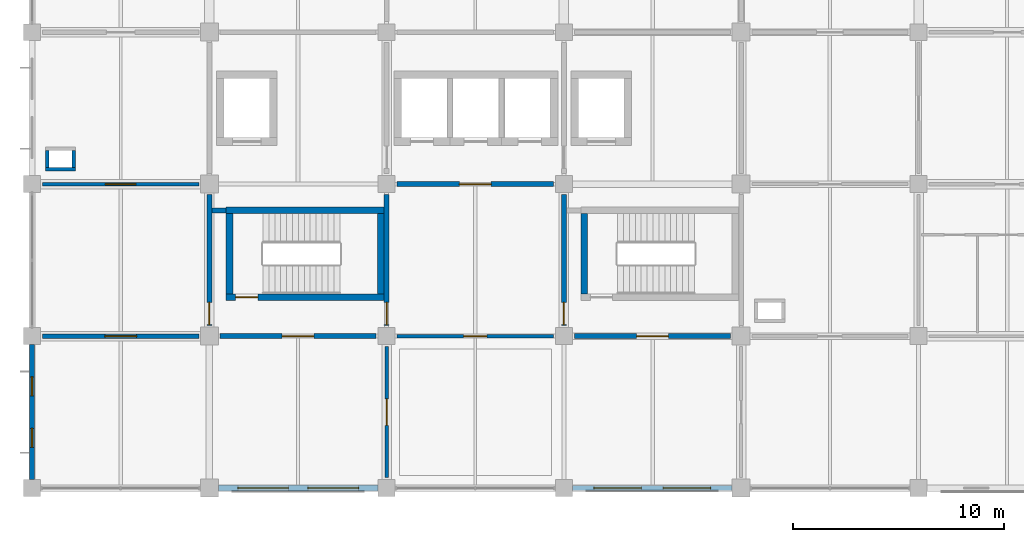
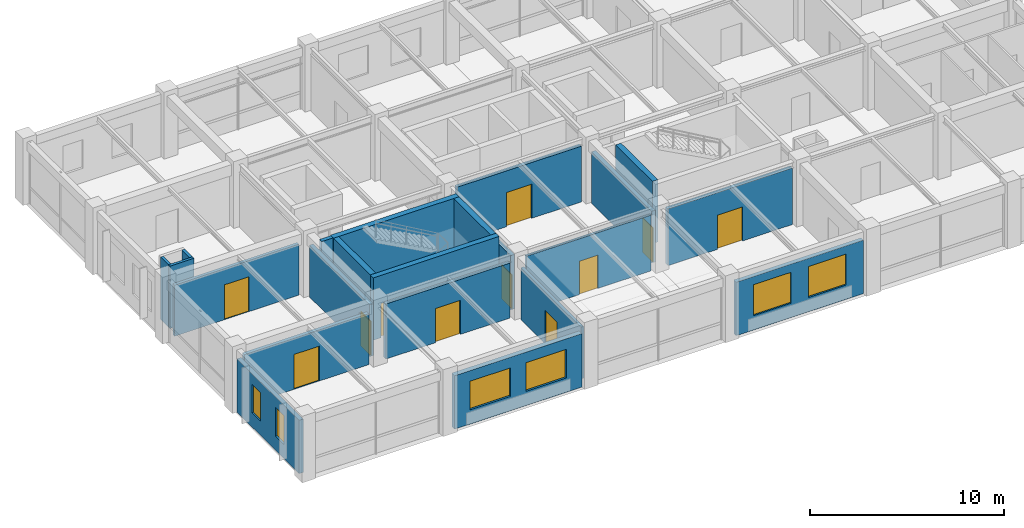
# One storey, part 8 of 13: 22 walls, 11 doors, 6 windows, 17 openings.
"""IFC4 building model written with IfcOpenShell, lengths in metres."""

from ifc_helpers import new_model, si_unit, derived_unit, direction, frame, frame_2d, origin, place, context, subcontext, project, spatial, rectangle, extrude, material, layer, layer_set, type_object, element, fill, save


model = new_model("IFC4")

# Units and contexts
model_context = context("Model", 3, precision=1e-05, world=origin(), true_north=direction((0.0, 1.0)))
body_context = subcontext(model_context, "Body", "Model", "MODEL_VIEW")
ifc_project = project(units=[si_unit("LENGTHUNIT", "METRE"), si_unit("AREAUNIT", "SQUARE_METRE"), si_unit("VOLUMEUNIT", "CUBIC_METRE"), si_unit("PLANEANGLEUNIT", "RADIAN"), si_unit("MASSUNIT", "GRAM", prefix="KILO"), derived_unit("THERMALTRANSMITTANCEUNIT", [(si_unit("MASSUNIT", "GRAM", prefix="KILO"), 1), (si_unit("TIMEUNIT", "SECOND"), -3), (si_unit("THERMODYNAMICTEMPERATUREUNIT", "KELVIN"), -1)])], contexts=[model_context])

# Site, building, storey
site_placement = place(None, origin())
site = spatial("IfcSite", under=ifc_project, at=site_placement, CompositionType="ELEMENT")
building_placement = place(site_placement, origin())
building = spatial("IfcBuilding", under=site, at=building_placement, Name="Veldstrom Oceanarium and Marine Research Institute", CompositionType="ELEMENT")
storey_placement = place(building_placement, frame((0.0, 0.0, 27.0)))
storey = spatial("IfcBuildingStorey", under=building, at=storey_placement, Name="L05", CompositionType="ELEMENT", Elevation=27.0)

# Wall, openings, windows
ifc_material_1 = material(Name="Masonry Cavity Wall", Category="masonry")
ifc_layer_1 = layer(ifc_material_1, 0.2900390625)
ifc_layer_set_1 = layer_set([ifc_layer_1], Name="ARC-WAL-EW2")
wall_type_1 = type_object("IfcWallType", Name="ARC-WAL-EW2", PredefinedType="SOLIDWALL", material=ifc_layer_set_1)
wall_1_placement = place(storey_placement, frame((76.02490234375, 43.199951171875, 0.0), z_axis=(0.0, 0.0, 1.0), x_axis=(1.0, 0.0, 0.0)))
wall_1 = element("IfcWall", 1, at=wall_1_placement, inside=storey, type_object=wall_type_1, Name="Exterior Facade Wall EW2 L05-179", PredefinedType="SOLIDWALL", context=body_context, shape_type="SweptSolid", body=[
    extrude(rectangle(XDim=7.5751953125, YDim=0.2900390625, at=frame_2d((3.78759765625, 0.0))), origin(), (0.0, 0.0, 1.0), 3.364990234375),
])
opening_1_placement = place(wall_1_placement, frame((0.925048828125, 0.0, 0.89990234375)))
opening_1 = element("IfcOpeningElement", 2, at=opening_1_placement, cuts=wall_1, Name="Opening W01", PredefinedType="OPENING", context=body_context, shape_type="SweptSolid", body=[
    extrude(rectangle(XDim=2.39990234375, YDim=1.800048828125, at=frame_2d((1.199951171875, 0.89990234375))), frame((0.0, 0.155029296875, 0.0), z_axis=(0.0, -1.0, 0.0), x_axis=(1.0, 0.0, 0.0)), (0.0, 0.0, 1.0), 0.31005859375),
])
opening_2_placement = place(wall_1_placement, frame((4.25, 0.0, 0.89990234375)))
opening_2 = element("IfcOpeningElement", 3, at=opening_2_placement, cuts=wall_1, Name="Opening W01", PredefinedType="OPENING", context=body_context, shape_type="SweptSolid", body=[
    extrude(rectangle(XDim=2.39990234375, YDim=1.800048828125, at=frame_2d((1.199951171875, 0.89990234375))), frame((0.0, 0.155029296875, 0.0), z_axis=(0.0, -1.0, 0.0), x_axis=(1.0, 0.0, 0.0)), (0.0, 0.0, 1.0), 0.31005859375),
])
ifc_material_2 = material(Name="Double Glazed Low-E IGU", Category="glass")
window_type_1 = type_object("IfcWindowType", Name="ARC-WIN-W01", PartitioningType="SINGLE_PANEL", PredefinedType="WINDOW", material=ifc_material_2)
window_1_placement = place(opening_1_placement, origin())
window_1 = element("IfcWindow", 4, at=window_1_placement, inside=storey, type_object=window_type_1, Name="Facade Window W01 L05-0135", OverallHeight=1.800048828125, OverallWidth=2.39990234375, PartitioningType="SINGLE_PANEL", PredefinedType="WINDOW", context=body_context, shape_type="SweptSolid", body=[
    extrude(rectangle(XDim=2.39990234375, YDim=1.800048828125, at=frame_2d((1.199951171875, 0.89990234375))), frame((0.0, 0.030029296875, 0.0), z_axis=(0.0, -1.0, 0.0), x_axis=(1.0, 0.0, 0.0)), (0.0, 0.0, 1.0), 0.06005859375),
])
fill(opening_1, window_1)
window_2_placement = place(opening_2_placement, origin())
window_2 = element("IfcWindow", 5, at=window_2_placement, inside=storey, type_object=window_type_1, Name="Facade Window W01 L05-0136", OverallHeight=1.800048828125, OverallWidth=2.39990234375, PartitioningType="SINGLE_PANEL", PredefinedType="WINDOW", context=body_context, shape_type="SweptSolid", body=[
    extrude(rectangle(XDim=2.39990234375, YDim=1.800048828125, at=frame_2d((1.199951171875, 0.89990234375))), frame((0.0, 0.030029296875, 0.0), z_axis=(0.0, -1.0, 0.0), x_axis=(1.0, 0.0, 0.0)), (0.0, 0.0, 1.0), 0.06005859375),
])
fill(opening_2, window_2)

ifc_material_3 = material(Name="Masonry Cavity Wall", Category="masonry")
ifc_layer_2 = layer(ifc_material_3, 0.25)
ifc_layer_set_2 = layer_set([ifc_layer_2], Name="ARC-WAL-EW5")
wall_type_2 = type_object("IfcWallType", Name="ARC-WAL-EW5", PredefinedType="SOLIDWALL", material=ifc_layer_set_2)
wall_2_placement = place(storey_placement, frame((67.199951171875, 43.60009765625, 0.0), z_axis=(0.0, 0.0, 1.0), x_axis=(0.0, 1.0, 0.0)))
wall_2 = element("IfcWall", 6, at=wall_2_placement, inside=storey, type_object=wall_type_2, Name="Exterior Facade Wall EW5 L05-176", PredefinedType="SOLIDWALL", context=body_context, shape_type="SweptSolid", body=[
    extrude(rectangle(XDim=6.39990234375, YDim=0.25, at=frame_2d((3.199951171875, 0.0))), origin(), (0.0, 0.0, 1.0), 3.364990234375),
])
opening_3_placement = place(wall_2_placement, frame((1.533203125, 0.0, 0.89990234375)))
opening_3 = element("IfcOpeningElement", 7, at=opening_3_placement, cuts=wall_2, Name="Opening W06", PredefinedType="OPENING", context=body_context, shape_type="SweptSolid", body=[
    extrude(rectangle(XDim=0.89990234375, YDim=1.800048828125, at=frame_2d((0.449951171875, 0.89990234375))), frame((0.0, 0.135009765625, 0.0), z_axis=(0.0, -1.0, 0.0), x_axis=(1.0, 0.0, 0.0)), (0.0, 0.0, 1.0), 0.27001953125),
])
opening_4_placement = place(wall_2_placement, frame((3.966796875, 0.0, 0.89990234375)))
opening_4 = element("IfcOpeningElement", 8, at=opening_4_placement, cuts=wall_2, Name="Opening W06", PredefinedType="OPENING", context=body_context, shape_type="SweptSolid", body=[
    extrude(rectangle(XDim=0.89990234375, YDim=1.800048828125, at=frame_2d((0.449951171875, 0.89990234375))), frame((0.0, 0.135009765625, 0.0), z_axis=(0.0, -1.0, 0.0), x_axis=(1.0, 0.0, 0.0)), (0.0, 0.0, 1.0), 0.27001953125),
])
ifc_material_4 = material(Name="Double Glazed Low-E IGU", Category="glass")
window_type_2 = type_object("IfcWindowType", Name="ARC-WIN-W06", PartitioningType="SINGLE_PANEL", PredefinedType="WINDOW", material=ifc_material_4)
window_3_placement = place(opening_3_placement, origin())
window_3 = element("IfcWindow", 9, at=window_3_placement, inside=storey, type_object=window_type_2, Name="Facade Window W06 L05-0129", OverallHeight=1.800048828125, OverallWidth=0.89990234375, PartitioningType="SINGLE_PANEL", PredefinedType="WINDOW", context=body_context, shape_type="SweptSolid", body=[
    extrude(rectangle(XDim=0.89990234375, YDim=1.800048828125, at=frame_2d((0.449951171875, 0.89990234375))), frame((0.0, 0.030029296875, 0.0), z_axis=(0.0, -1.0, 0.0), x_axis=(1.0, 0.0, 0.0)), (0.0, 0.0, 1.0), 0.06005859375),
])
fill(opening_3, window_3)
window_4_placement = place(opening_4_placement, origin())
window_4 = element("IfcWindow", 10, at=window_4_placement, inside=storey, type_object=window_type_2, Name="Facade Window W06 L05-0130", OverallHeight=1.800048828125, OverallWidth=0.89990234375, PartitioningType="SINGLE_PANEL", PredefinedType="WINDOW", context=body_context, shape_type="SweptSolid", body=[
    extrude(rectangle(XDim=0.89990234375, YDim=1.800048828125, at=frame_2d((0.449951171875, 0.89990234375))), frame((0.0, 0.030029296875, 0.0), z_axis=(0.0, -1.0, 0.0), x_axis=(1.0, 0.0, 0.0)), (0.0, 0.0, 1.0), 0.06005859375),
])
fill(opening_4, window_4)

wall_3_placement = place(storey_placement, frame((92.800048828125, 43.199951171875, 0.0), z_axis=(0.0, 0.0, 1.0), x_axis=(1.0, 0.0, 0.0)))
wall_3 = element("IfcWall", 11, at=wall_3_placement, inside=storey, type_object=wall_type_2, Name="Exterior Facade Wall EW5 L05-181", PredefinedType="SOLIDWALL", context=body_context, shape_type="SweptSolid", body=[
    extrude(rectangle(XDim=7.574951171875, YDim=0.25, at=frame_2d((3.78759765625, 0.0))), origin(), (0.0, 0.0, 1.0), 3.364990234375),
])
opening_5_placement = place(wall_3_placement, frame((1.02490234375, 0.0, 0.89990234375)))
opening_5 = element("IfcOpeningElement", 12, at=opening_5_placement, cuts=wall_3, Name="Opening W21", PredefinedType="OPENING", context=body_context, shape_type="SweptSolid", body=[
    extrude(rectangle(XDim=2.25, YDim=1.949951171875, at=frame_2d((1.125, 0.97509765625))), frame((0.0, 0.135009765625, 0.0), z_axis=(0.0, -1.0, 0.0), x_axis=(1.0, 0.0, 0.0)), (0.0, 0.0, 1.0), 0.27001953125),
])
opening_6_placement = place(wall_3_placement, frame((4.300048828125, 0.0, 0.89990234375)))
opening_6 = element("IfcOpeningElement", 13, at=opening_6_placement, cuts=wall_3, Name="Opening W21", PredefinedType="OPENING", context=body_context, shape_type="SweptSolid", body=[
    extrude(rectangle(XDim=2.25, YDim=1.949951171875, at=frame_2d((1.125, 0.97509765625))), frame((0.0, 0.135009765625, 0.0), z_axis=(0.0, -1.0, 0.0), x_axis=(1.0, 0.0, 0.0)), (0.0, 0.0, 1.0), 0.27001953125),
])
ifc_material_5 = material(Name="Double Glazed Low-E IGU", Category="glass")
window_type_3 = type_object("IfcWindowType", Name="ARC-WIN-W21", PartitioningType="SINGLE_PANEL", PredefinedType="WINDOW", material=ifc_material_5)
window_5_placement = place(opening_5_placement, origin())
window_5 = element("IfcWindow", 14, at=window_5_placement, inside=storey, type_object=window_type_3, Name="Facade Window W21 L05-0139", OverallHeight=1.949951171875, OverallWidth=2.25, PartitioningType="SINGLE_PANEL", PredefinedType="WINDOW", context=body_context, shape_type="SweptSolid", body=[
    extrude(rectangle(XDim=2.25, YDim=1.949951171875, at=frame_2d((1.125, 0.97509765625))), frame((0.0, 0.030029296875, 0.0), z_axis=(0.0, -1.0, 0.0), x_axis=(1.0, 0.0, 0.0)), (0.0, 0.0, 1.0), 0.06005859375),
])
fill(opening_5, window_5)
window_6_placement = place(opening_6_placement, origin())
window_6 = element("IfcWindow", 15, at=window_6_placement, inside=storey, type_object=window_type_3, Name="Facade Window W21 L05-0140", OverallHeight=1.949951171875, OverallWidth=2.25, PartitioningType="SINGLE_PANEL", PredefinedType="WINDOW", context=body_context, shape_type="SweptSolid", body=[
    extrude(rectangle(XDim=2.25, YDim=1.949951171875, at=frame_2d((1.125, 0.97509765625))), frame((0.0, 0.030029296875, 0.0), z_axis=(0.0, -1.0, 0.0), x_axis=(1.0, 0.0, 0.0)), (0.0, 0.0, 1.0), 0.06005859375),
])
fill(opening_6, window_6)

# Wall, opening, door
ifc_material_6 = material(Name="Masonry Fire Compartment Wall", Category="masonry")
ifc_layer_3 = layer(ifc_material_6, 0.22998046875)
ifc_layer_set_3 = layer_set([ifc_layer_3], Name="ARC-WAL-PT1")
wall_type_3 = type_object("IfcWallType", Name="ARC-WAL-PT1", PredefinedType="PARTITIONING", material=ifc_layer_set_3)
wall_4_placement = place(storey_placement, frame((75.60009765625, 50.89990234375, 0.0), z_axis=(0.0, 0.0, 1.0), x_axis=(0.0, 1.0, 0.0)))
wall_4 = element("IfcWall", 16, at=wall_4_placement, inside=storey, type_object=wall_type_3, Name="Interior Partition PT1 L05-1442", PredefinedType="PARTITIONING", context=body_context, shape_type="SweptSolid", body=[
    extrude(rectangle(XDim=6.2001953125, YDim=0.22998046875, at=frame_2d((3.10009765625, 0.0))), origin(), (0.0, 0.0, 1.0), 3.264892578125),
])
opening_7_placement = place(wall_4_placement, frame((0.050048828125, 0.0, 0.0)))
opening_7 = element("IfcOpeningElement", 17, at=opening_7_placement, cuts=wall_4, Name="Opening D-L05-856", PredefinedType="OPENING", context=body_context, shape_type="SweptSolid", body=[
    extrude(rectangle(XDim=1.050048828125, YDim=2.14990234375, at=frame_2d((0.52490234375, 1.074951171875))), frame((0.0, 0.125, 0.0), z_axis=(0.0, -1.0, 0.0), x_axis=(1.0, 0.0, 0.0)), (0.0, 0.0, 1.0), 0.25),
])
ifc_material_7 = material(Name="Painted Steel Fire Door", Category="steel")
door_type_1 = type_object("IfcDoorType", Name="ARC-DOR-SD1", OperationType="SINGLE_SWING_LEFT", PredefinedType="DOOR", material=ifc_material_7)
door_1_placement = place(opening_7_placement, origin())
door_1 = element("IfcDoor", 18, at=door_1_placement, inside=storey, type_object=door_type_1, Name="Interior Door D-L05-856", OperationType="SINGLE_SWING_LEFT", OverallHeight=2.14990234375, OverallWidth=1.050048828125, PredefinedType="DOOR", context=body_context, shape_type="SweptSolid", body=[
    extrude(rectangle(XDim=1.050048828125, YDim=2.14990234375, at=frame_2d((0.52490234375, 1.074951171875))), frame((0.0, 0.02490234375, 0.0), z_axis=(0.0, -1.0, 0.0), x_axis=(1.0, 0.0, 0.0)), (0.0, 0.0, 1.0), 0.050048828125),
])
fill(opening_7, door_1)

wall_5_placement = place(storey_placement, frame((76.10009765625, 50.39990234375, 0.0), z_axis=(0.0, 0.0, 1.0), x_axis=(1.0, 0.0, 0.0)))
wall_5 = element("IfcWall", 19, at=wall_5_placement, inside=storey, type_object=wall_type_3, Name="Interior Partition PT1 L05-1447", PredefinedType="PARTITIONING", context=body_context, shape_type="SweptSolid", body=[
    extrude(rectangle(XDim=7.39990234375, YDim=0.22998046875, at=frame_2d((3.699951171875, 0.0))), origin(), (0.0, 0.0, 1.0), 3.465087890625),
])
opening_8_placement = place(wall_5_placement, frame((2.949951171875, 0.0, 0.0)))
opening_8 = element("IfcOpeningElement", 20, at=opening_8_placement, cuts=wall_5, Name="Opening D-L05-860", PredefinedType="OPENING", context=body_context, shape_type="SweptSolid", body=[
    extrude(rectangle(XDim=1.5, YDim=2.14990234375, at=frame_2d((0.75, 1.074951171875))), frame((0.0, 0.125, 0.0), z_axis=(0.0, -1.0, 0.0), x_axis=(1.0, 0.0, 0.0)), (0.0, 0.0, 1.0), 0.25),
])
ifc_material_8 = material(Name="Painted Steel Lobby Fire Door", Category="steel")
door_type_2 = type_object("IfcDoorType", Name="ARC-DOR-SD2", OperationType="DOUBLE_DOOR_SINGLE_SWING", PredefinedType="DOOR", material=ifc_material_8)
door_2_placement = place(opening_8_placement, frame((1.5, 0.0, 0.0), z_axis=(0.0, 0.0, 1.0), x_axis=(-1.0, 0.0, 0.0)))
door_2 = element("IfcDoor", 21, at=door_2_placement, inside=storey, type_object=door_type_2, Name="Interior Door D-L05-860", OperationType="DOUBLE_DOOR_SINGLE_SWING", OverallHeight=2.14990234375, OverallWidth=1.5, PredefinedType="DOOR", context=body_context, shape_type="SweptSolid", body=[
    extrude(rectangle(XDim=1.5, YDim=2.14990234375, at=frame_2d((0.75, 1.074951171875))), frame((0.0, 0.02490234375, 0.0), z_axis=(0.0, -1.0, 0.0), x_axis=(1.0, 0.0, 0.0)), (0.0, 0.0, 1.0), 0.050048828125),
])
fill(opening_8, door_2)

wall_6_placement = place(storey_placement, frame((84.0, 50.89990234375, 0.0), z_axis=(0.0, 0.0, 1.0), x_axis=(0.0, 1.0, 0.0)))
wall_6 = element("IfcWall", 22, at=wall_6_placement, inside=storey, type_object=wall_type_3, Name="Interior Partition PT1 L05-1448", PredefinedType="PARTITIONING", context=body_context, shape_type="SweptSolid", body=[
    extrude(rectangle(XDim=6.2001953125, YDim=0.22998046875, at=frame_2d((3.10009765625, 0.0))), origin(), (0.0, 0.0, 1.0), 3.4150390625),
])
opening_9_placement = place(wall_6_placement, frame((0.050048828125, 0.0, 0.0)))
opening_9 = element("IfcOpeningElement", 23, at=opening_9_placement, cuts=wall_6, Name="Opening D-L05-861", PredefinedType="OPENING", context=body_context, shape_type="SweptSolid", body=[
    extrude(rectangle(XDim=1.050048828125, YDim=2.14990234375, at=frame_2d((0.52490234375, 1.074951171875))), frame((0.0, 0.125, 0.0), z_axis=(0.0, -1.0, 0.0), x_axis=(1.0, 0.0, 0.0)), (0.0, 0.0, 1.0), 0.25),
])
door_3_placement = place(opening_9_placement, origin())
door_3 = element("IfcDoor", 24, at=door_3_placement, inside=storey, type_object=door_type_1, Name="Interior Door D-L05-861", OperationType="SINGLE_SWING_LEFT", OverallHeight=2.14990234375, OverallWidth=1.050048828125, PredefinedType="DOOR", context=body_context, shape_type="SweptSolid", body=[
    extrude(rectangle(XDim=1.050048828125, YDim=2.14990234375, at=frame_2d((0.52490234375, 1.074951171875))), frame((0.0, 0.02490234375, 0.0), z_axis=(0.0, -1.0, 0.0), x_axis=(1.0, 0.0, 0.0)), (0.0, 0.0, 1.0), 0.050048828125),
])
fill(opening_9, door_3)

# Wall
wall_7_placement = place(storey_placement, frame((75.719970703125, 56.360107421875, 0.0), z_axis=(0.0, 0.0, 1.0), x_axis=(1.0, 0.0, 0.0)))
element("IfcWall", 25, at=wall_7_placement, inside=storey, type_object=wall_type_3, Name="Interior Partition PT1 L05-1449", PredefinedType="PARTITIONING", context=body_context, shape_type="SweptSolid", body=[
    extrude(rectangle(XDim=0.679931640625, YDim=0.22998046875, at=frame_2d((0.33984375, 0.0))), origin(), (0.0, 0.0, 1.0), 3.919921875),
])

# Wall, opening, door
wall_8_placement = place(storey_placement, frame((92.39990234375, 50.89990234375, 0.0), z_axis=(0.0, 0.0, 1.0), x_axis=(0.0, 1.0, 0.0)))
wall_8 = element("IfcWall", 26, at=wall_8_placement, inside=storey, type_object=wall_type_3, Name="Interior Partition PT1 L05-1454", PredefinedType="PARTITIONING", context=body_context, shape_type="SweptSolid", body=[
    extrude(rectangle(XDim=6.2001953125, YDim=0.22998046875, at=frame_2d((3.10009765625, 0.0))), origin(), (0.0, 0.0, 1.0), 3.264892578125),
])
opening_10_placement = place(wall_8_placement, frame((0.050048828125, 0.0, 0.0)))
opening_10 = element("IfcOpeningElement", 27, at=opening_10_placement, cuts=wall_8, Name="Opening D-L05-865", PredefinedType="OPENING", context=body_context, shape_type="SweptSolid", body=[
    extrude(rectangle(XDim=1.050048828125, YDim=2.14990234375, at=frame_2d((0.52490234375, 1.074951171875))), frame((0.0, 0.125, 0.0), z_axis=(0.0, -1.0, 0.0), x_axis=(1.0, 0.0, 0.0)), (0.0, 0.0, 1.0), 0.25),
])
door_4_placement = place(opening_10_placement, frame((1.050048828125, 0.0, 0.0), z_axis=(0.0, 0.0, 1.0), x_axis=(-1.0, 0.0, 0.0)))
door_4 = element("IfcDoor", 28, at=door_4_placement, inside=storey, type_object=door_type_1, Name="Interior Door D-L05-865", OperationType="SINGLE_SWING_RIGHT", OverallHeight=2.14990234375, OverallWidth=1.050048828125, PredefinedType="DOOR", context=body_context, shape_type="SweptSolid", body=[
    extrude(rectangle(XDim=1.050048828125, YDim=2.14990234375, at=frame_2d((0.52490234375, 1.074951171875))), frame((0.0, 0.02490234375, 0.0), z_axis=(0.0, -1.0, 0.0), x_axis=(1.0, 0.0, 0.0)), (0.0, 0.0, 1.0), 0.050048828125),
])
fill(opening_10, door_4)

wall_9_placement = place(storey_placement, frame((84.5, 57.60009765625, 0.0), z_axis=(0.0, 0.0, 1.0), x_axis=(1.0, 0.0, 0.0)))
wall_9 = element("IfcWall", 29, at=wall_9_placement, inside=storey, type_object=wall_type_3, Name="Interior Partition PT1 L05-1455", PredefinedType="PARTITIONING", context=body_context, shape_type="SweptSolid", body=[
    extrude(rectangle(XDim=7.39990234375, YDim=0.22998046875, at=frame_2d((3.699951171875, 0.0))), origin(), (0.0, 0.0, 1.0), 3.514892578125),
])
opening_11_placement = place(wall_9_placement, frame((2.949951171875, 0.0, 0.0)))
opening_11 = element("IfcOpeningElement", 30, at=opening_11_placement, cuts=wall_9, Name="Opening D-L05-866", PredefinedType="OPENING", context=body_context, shape_type="SweptSolid", body=[
    extrude(rectangle(XDim=1.5, YDim=2.14990234375, at=frame_2d((0.75, 1.074951171875))), frame((0.0, 0.125, 0.0), z_axis=(0.0, -1.0, 0.0), x_axis=(1.0, 0.0, 0.0)), (0.0, 0.0, 1.0), 0.25),
])
door_5_placement = place(opening_11_placement, origin())
door_5 = element("IfcDoor", 31, at=door_5_placement, inside=storey, type_object=door_type_2, Name="Interior Door D-L05-866", OperationType="DOUBLE_DOOR_SINGLE_SWING", OverallHeight=2.14990234375, OverallWidth=1.5, PredefinedType="DOOR", context=body_context, shape_type="SweptSolid", body=[
    extrude(rectangle(XDim=1.5, YDim=2.14990234375, at=frame_2d((0.75, 1.074951171875))), frame((0.0, 0.02490234375, 0.0), z_axis=(0.0, -1.0, 0.0), x_axis=(1.0, 0.0, 0.0)), (0.0, 0.0, 1.0), 0.050048828125),
])
fill(opening_11, door_5)

wall_10_placement = place(storey_placement, frame((92.89990234375, 50.39990234375, 0.0), z_axis=(0.0, 0.0, 1.0), x_axis=(1.0, 0.0, 0.0)))
wall_10 = element("IfcWall", 32, at=wall_10_placement, inside=storey, type_object=wall_type_3, Name="Interior Partition PT1 L05-1459", PredefinedType="PARTITIONING", context=body_context, shape_type="SweptSolid", body=[
    extrude(rectangle(XDim=7.400146484375, YDim=0.22998046875, at=frame_2d((3.7001953125, 0.0))), origin(), (0.0, 0.0, 1.0), 3.56494140625),
])
opening_12_placement = place(wall_10_placement, frame((2.949951171875, 0.0, 0.0)))
opening_12 = element("IfcOpeningElement", 33, at=opening_12_placement, cuts=wall_10, Name="Opening D-L05-869", PredefinedType="OPENING", context=body_context, shape_type="SweptSolid", body=[
    extrude(rectangle(XDim=1.5, YDim=2.14990234375, at=frame_2d((0.75, 1.074951171875))), frame((0.0, 0.125, 0.0), z_axis=(0.0, -1.0, 0.0), x_axis=(1.0, 0.0, 0.0)), (0.0, 0.0, 1.0), 0.25),
])
door_6_placement = place(opening_12_placement, frame((1.5, 0.0, 0.0), z_axis=(0.0, 0.0, 1.0), x_axis=(-1.0, 0.0, 0.0)))
door_6 = element("IfcDoor", 34, at=door_6_placement, inside=storey, type_object=door_type_2, Name="Interior Door D-L05-869", OperationType="DOUBLE_DOOR_SINGLE_SWING", OverallHeight=2.14990234375, OverallWidth=1.5, PredefinedType="DOOR", context=body_context, shape_type="SweptSolid", body=[
    extrude(rectangle(XDim=1.5, YDim=2.14990234375, at=frame_2d((0.75, 1.074951171875))), frame((0.0, 0.02490234375, 0.0), z_axis=(0.0, -1.0, 0.0), x_axis=(1.0, 0.0, 0.0)), (0.0, 0.0, 1.0), 0.050048828125),
])
fill(opening_12, door_6)

ifc_material_9 = material(Name="Masonry Acoustic Lab Partition", Category="masonry")
ifc_layer_4 = layer(ifc_material_9, 0.205078125)
ifc_layer_set_4 = layer_set([ifc_layer_4], Name="ARC-WAL-PT2")
wall_type_4 = type_object("IfcWallType", Name="ARC-WAL-PT2", PredefinedType="PARTITIONING", material=ifc_layer_set_4)
wall_11_placement = place(storey_placement, frame((67.699951171875, 50.39990234375, 0.0), z_axis=(0.0, 0.0, 1.0), x_axis=(1.0, 0.0, 0.0)))
wall_11 = element("IfcWall", 35, at=wall_11_placement, inside=storey, type_object=wall_type_4, Name="Interior Partition PT2 L05-1441", PredefinedType="PARTITIONING", context=body_context, shape_type="SweptSolid", body=[
    extrude(rectangle(XDim=7.400146484375, YDim=0.205078125, at=frame_2d((3.7001953125, 0.0))), origin(), (0.0, 0.0, 1.0), 3.215087890625),
])
opening_13_placement = place(wall_11_placement, frame((2.949951171875, 0.0, 0.0)))
opening_13 = element("IfcOpeningElement", 36, at=opening_13_placement, cuts=wall_11, Name="Opening D-L05-855", PredefinedType="OPENING", context=body_context, shape_type="SweptSolid", body=[
    extrude(rectangle(XDim=1.5, YDim=2.199951171875, at=frame_2d((0.75, 1.10009765625))), frame((0.0, 0.112548828125, 0.0), z_axis=(0.0, -1.0, 0.0), x_axis=(1.0, 0.0, 0.0)), (0.0, 0.0, 1.0), 0.22509765625),
])
ifc_material_10 = material(Name="Laboratory Double Leaf Door", Category="timber")
door_type_3 = type_object("IfcDoorType", Name="ARC-DOR-ID03", OperationType="DOUBLE_DOOR_SINGLE_SWING", PredefinedType="DOOR", material=ifc_material_10)
door_7_placement = place(opening_13_placement, frame((1.5, 0.0, 0.0), z_axis=(0.0, 0.0, 1.0), x_axis=(-1.0, 0.0, 0.0)))
door_7 = element("IfcDoor", 37, at=door_7_placement, inside=storey, type_object=door_type_3, Name="Interior Door D-L05-855", OperationType="DOUBLE_DOOR_SINGLE_SWING", OverallHeight=2.199951171875, OverallWidth=1.5, PredefinedType="DOOR", context=body_context, shape_type="SweptSolid", body=[
    extrude(rectangle(XDim=1.5, YDim=2.199951171875, at=frame_2d((0.75, 1.10009765625))), frame((0.0, 0.02490234375, 0.0), z_axis=(0.0, -1.0, 0.0), x_axis=(1.0, 0.0, 0.0)), (0.0, 0.0, 1.0), 0.050048828125),
])
fill(opening_13, door_7)

ifc_material_11 = material(Name="Drywall Acoustic Partition", Category="gypsum")
ifc_layer_5 = layer(ifc_material_11, 0.175048828125)
ifc_layer_set_5 = layer_set([ifc_layer_5], Name="ARC-WAL-PT3")
wall_type_5 = type_object("IfcWallType", Name="ARC-WAL-PT3", PredefinedType="PARTITIONING", material=ifc_layer_set_5)
wall_12_placement = place(storey_placement, frame((67.699951171875, 57.60009765625, 0.0), z_axis=(0.0, 0.0, 1.0), x_axis=(1.0, 0.0, 0.0)))
wall_12 = element("IfcWall", 38, at=wall_12_placement, inside=storey, type_object=wall_type_5, Name="Interior Partition PT3 L05-1443", PredefinedType="PARTITIONING", context=body_context, shape_type="SweptSolid", body=[
    extrude(rectangle(XDim=7.400146484375, YDim=0.175048828125, at=frame_2d((3.7001953125, 0.0))), origin(), (0.0, 0.0, 1.0), 3.215087890625),
])
opening_14_placement = place(wall_12_placement, frame((2.97509765625, 0.0, 0.0)))
opening_14 = element("IfcOpeningElement", 39, at=opening_14_placement, cuts=wall_12, Name="Opening D-L05-857", PredefinedType="OPENING", context=body_context, shape_type="SweptSolid", body=[
    extrude(rectangle(XDim=1.449951171875, YDim=2.199951171875, at=frame_2d((0.72509765625, 1.10009765625))), frame((0.0, 0.097412109375, 0.0), z_axis=(0.0, -1.0, 0.0), x_axis=(1.0, 0.0, 0.0)), (0.0, 0.0, 1.0), 0.195068359375),
])
ifc_material_12 = material(Name="Curatorial Archive Door", Category="timber")
door_type_4 = type_object("IfcDoorType", Name="ARC-DOR-ID14", OperationType="DOUBLE_DOOR_SINGLE_SWING", PredefinedType="DOOR", material=ifc_material_12)
door_8_placement = place(opening_14_placement, origin())
door_8 = element("IfcDoor", 40, at=door_8_placement, inside=storey, type_object=door_type_4, Name="Interior Door D-L05-857", OperationType="DOUBLE_DOOR_SINGLE_SWING", OverallHeight=2.199951171875, OverallWidth=1.449951171875, PredefinedType="DOOR", context=body_context, shape_type="SweptSolid", body=[
    extrude(rectangle(XDim=1.449951171875, YDim=2.199951171875, at=frame_2d((0.72509765625, 1.10009765625))), frame((0.0, 0.02490234375, 0.0), z_axis=(0.0, -1.0, 0.0), x_axis=(1.0, 0.0, 0.0)), (0.0, 0.0, 1.0), 0.050048828125),
])
fill(opening_14, door_8)

wall_13_placement = place(storey_placement, frame((84.0, 43.699951171875, 0.0), z_axis=(0.0, 0.0, 1.0), x_axis=(0.0, 1.0, 0.0)))
wall_13 = element("IfcWall", 41, at=wall_13_placement, inside=storey, type_object=wall_type_5, Name="Interior Partition PT3 L05-1446", PredefinedType="PARTITIONING", context=body_context, shape_type="SweptSolid", body=[
    extrude(rectangle(XDim=6.199951171875, YDim=0.175048828125, at=frame_2d((3.10009765625, 0.0))), origin(), (0.0, 0.0, 1.0), 3.264892578125),
])
opening_15_placement = place(wall_13_placement, frame((2.47509765625, 0.0, 0.0)))
opening_15 = element("IfcOpeningElement", 42, at=opening_15_placement, cuts=wall_13, Name="Opening D-L05-859", PredefinedType="OPENING", context=body_context, shape_type="SweptSolid", body=[
    extrude(rectangle(XDim=1.25, YDim=2.10009765625, at=frame_2d((0.625, 1.050048828125))), frame((0.0, 0.097412109375, 0.0), z_axis=(0.0, -1.0, 0.0), x_axis=(1.0, 0.0, 0.0)), (0.0, 0.0, 1.0), 0.195068359375),
])
ifc_material_13 = material(Name="Specimen Prep Door", Category="timber")
door_type_5 = type_object("IfcDoorType", Name="ARC-DOR-ID16", OperationType="SINGLE_SWING_RIGHT", PredefinedType="DOOR", material=ifc_material_13)
door_9_placement = place(opening_15_placement, frame((1.25, 0.0, 0.0), z_axis=(0.0, 0.0, 1.0), x_axis=(-1.0, 0.0, 0.0)))
door_9 = element("IfcDoor", 43, at=door_9_placement, inside=storey, type_object=door_type_5, Name="Interior Door D-L05-859", OperationType="SINGLE_SWING_RIGHT", OverallHeight=2.10009765625, OverallWidth=1.25, PredefinedType="DOOR", context=body_context, shape_type="SweptSolid", body=[
    extrude(rectangle(XDim=1.25, YDim=2.10009765625, at=frame_2d((0.625, 1.050048828125))), frame((0.0, 0.02490234375, 0.0), z_axis=(0.0, -1.0, 0.0), x_axis=(1.0, 0.0, 0.0)), (0.0, 0.0, 1.0), 0.050048828125),
])
fill(opening_15, door_9)

ifc_material_14 = material(Name="Drywall Corridor Partition", Category="gypsum")
ifc_layer_6 = layer(ifc_material_14, 0.155029296875)
ifc_layer_set_6 = layer_set([ifc_layer_6], Name="ARC-WAL-PT4")
wall_type_6 = type_object("IfcWallType", Name="ARC-WAL-PT4", PredefinedType="PARTITIONING", material=ifc_layer_set_6)
wall_14_placement = place(storey_placement, frame((84.5, 50.39990234375, 0.0), z_axis=(0.0, 0.0, 1.0), x_axis=(1.0, 0.0, 0.0)))
wall_14 = element("IfcWall", 44, at=wall_14_placement, inside=storey, type_object=wall_type_6, Name="Interior Partition PT4 L05-1453", PredefinedType="PARTITIONING", context=body_context, shape_type="SweptSolid", body=[
    extrude(rectangle(XDim=7.39990234375, YDim=0.155029296875, at=frame_2d((3.699951171875, 0.0))), origin(), (0.0, 0.0, 1.0), 3.514892578125),
])
opening_16_placement = place(wall_14_placement, frame((3.14990234375, 0.0, 0.0)))
opening_16 = element("IfcOpeningElement", 45, at=opening_16_placement, cuts=wall_14, Name="Opening D-L05-864", PredefinedType="OPENING", context=body_context, shape_type="SweptSolid", body=[
    extrude(rectangle(XDim=1.10009765625, YDim=2.10009765625, at=frame_2d((0.550048828125, 1.050048828125))), frame((0.0, 0.08740234375, 0.0), z_axis=(0.0, -1.0, 0.0), x_axis=(1.0, 0.0, 0.0)), (0.0, 0.0, 1.0), 0.175048828125),
])
ifc_material_15 = material(Name="Research Office Door", Category="timber")
door_type_6 = type_object("IfcDoorType", Name="ARC-DOR-ID07", OperationType="SINGLE_SWING_LEFT", PredefinedType="DOOR", material=ifc_material_15)
door_10_placement = place(opening_16_placement, frame((1.10009765625, 0.0, 0.0), z_axis=(0.0, 0.0, 1.0), x_axis=(-1.0, 0.0, 0.0)))
door_10 = element("IfcDoor", 46, at=door_10_placement, inside=storey, type_object=door_type_6, Name="Interior Door D-L05-864", OperationType="SINGLE_SWING_LEFT", OverallHeight=2.10009765625, OverallWidth=1.10009765625, PredefinedType="DOOR", context=body_context, shape_type="SweptSolid", body=[
    extrude(rectangle(XDim=1.10009765625, YDim=2.10009765625, at=frame_2d((0.550048828125, 1.050048828125))), frame((0.0, 0.02490234375, 0.0), z_axis=(0.0, -1.0, 0.0), x_axis=(1.0, 0.0, 0.0)), (0.0, 0.0, 1.0), 0.050048828125),
])
fill(opening_16, door_10)

# Walls
ifc_material_16 = material(Name="Service Riser Fire Shaft Wall", Category="masonry")
ifc_layer_7 = layer(ifc_material_16, 0.1650390625)
ifc_layer_set_7 = layer_set([ifc_layer_7], Name="ARC-WAL-PT9")
wall_type_7 = type_object("IfcWallType", Name="ARC-WAL-PT9", PredefinedType="PARTITIONING", material=ifc_layer_set_7)
wall_15_placement = place(storey_placement, frame((67.8349609375, 58.3173828125, 0.0), z_axis=(0.0, 0.0, 1.0), x_axis=(1.0, 0.0, 0.0)))
element("IfcWall", 47, at=wall_15_placement, inside=storey, type_object=wall_type_7, Name="Service Riser Fire Shaft Wall L05-CW-S", PredefinedType="PARTITIONING", context=body_context, shape_type="SweptSolid", body=[
    extrude(rectangle(XDim=1.429931640625, YDim=0.1650390625, at=frame_2d((0.71484375, 0.0))), origin(), (0.0, 0.0, 1.0), 3.919921875),
])
for number, where, z_axis, x_axis, name in (
    (48, (67.91748046875, 58.39990234375, 0.0), (0.0, 0.0, 1.0), (0.0, 1.0, 0.0), "Service Riser Fire Shaft Wall L05-CW-W"),
    (49, (69.1826171875, 58.39990234375, 0.0), (0.0, 0.0, 1.0), (0.0, 1.0, 0.0), "Service Riser Fire Shaft Wall L05-CW-E"),
):
    element("IfcWall", number, at=place(storey_placement, frame(where, z_axis=z_axis, x_axis=x_axis)), inside=storey, type_object=wall_type_7, Name=name, PredefinedType="PARTITIONING", context=body_context, shape_type="SweptSolid", body=[
        extrude(rectangle(XDim=0.800048828125, YDim=0.1650390625, at=frame_2d((0.39990234375, 0.0))), origin(), (0.0, 0.0, 1.0), 3.919921875),
    ])

# Wall, opening, door
ifc_material_17 = material(Name="Concrete C40/50", Category="concrete")
ifc_layer_8 = layer(ifc_material_17, 0.320068359375)
ifc_layer_set_8 = layer_set([ifc_layer_8], Name="STR-WAL-WC3")
wall_type_8 = type_object("IfcWallType", Name="STR-WAL-WC3", PredefinedType="SHEAR", material=ifc_layer_set_8)
wall_16_placement = place(storey_placement, frame((76.39990234375, 52.239990234375, 0.0), z_axis=(0.0, 0.0, 1.0), x_axis=(1.0, 0.0, 0.0)))
wall_16 = element("IfcWall", 50, at=wall_16_placement, inside=storey, type_object=wall_type_8, Name="Stair Core Shear Wall SC1-L05-S", PredefinedType="SHEAR", context=body_context, shape_type="SweptSolid", body=[
    extrude(rectangle(XDim=7.47998046875, YDim=0.320068359375, at=frame_2d((3.739990234375, 0.0))), origin(), (0.0, 0.0, 1.0), 3.919921875),
])
opening_17_placement = place(wall_16_placement, frame((0.449951171875, 0.0, 0.0)))
opening_17 = element("IfcOpeningElement", 51, at=opening_17_placement, cuts=wall_16, Name="Opening D-ST1-L05", PredefinedType="OPENING", context=body_context, shape_type="SweptSolid", body=[
    extrude(rectangle(XDim=1.050048828125, YDim=2.14990234375, at=frame_2d((0.52490234375, 1.074951171875))), frame((0.0, 0.169921875, 0.0), z_axis=(0.0, -1.0, 0.0), x_axis=(1.0, 0.0, 0.0)), (0.0, 0.0, 1.0), 0.340087890625),
])
door_11_placement = place(opening_17_placement, origin())
door_11 = element("IfcDoor", 52, at=door_11_placement, inside=storey, type_object=door_type_1, Name="Escape Stair Fire Door D-ST1-L05", OperationType="SINGLE_SWING_LEFT", OverallHeight=2.14990234375, OverallWidth=1.050048828125, PredefinedType="DOOR", context=body_context, shape_type="SweptSolid", body=[
    extrude(rectangle(XDim=1.050048828125, YDim=2.14990234375, at=frame_2d((0.52490234375, 1.074951171875))), frame((0.0, 0.02490234375, 0.0), z_axis=(0.0, -1.0, 0.0), x_axis=(1.0, 0.0, 0.0)), (0.0, 0.0, 1.0), 0.050048828125),
])
fill(opening_17, door_11)

# Walls
wall_17_placement = place(storey_placement, frame((76.39990234375, 56.360107421875, 0.0), z_axis=(0.0, 0.0, 1.0), x_axis=(1.0, 0.0, 0.0)))
element("IfcWall", 53, at=wall_17_placement, inside=storey, type_object=wall_type_8, Name="Stair Core Shear Wall SC1-L05-N", PredefinedType="SHEAR", context=body_context, shape_type="SweptSolid", body=[
    extrude(rectangle(XDim=7.47998046875, YDim=0.320068359375, at=frame_2d((3.739990234375, 0.0))), origin(), (0.0, 0.0, 1.0), 3.919921875),
])
for number, where, z_axis, x_axis, name in (
    (54, (76.56005859375, 52.39990234375, 0.0), (0.0, 0.0, 1.0), (0.0, 1.0, 0.0), "Stair Core Shear Wall SC1-L05-W"),
    (55, (83.719970703125, 52.39990234375, 0.0), (0.0, 0.0, 1.0), (0.0, 1.0, 0.0), "Stair Core Shear Wall SC1-L05-E"),
    (56, (93.360107421875, 52.39990234375, 0.0), (0.0, 0.0, 1.0), (0.0, 1.0, 0.0), "Stair Core Shear Wall SC2-L05-W"),
):
    element("IfcWall", number, at=place(storey_placement, frame(where, z_axis=z_axis, x_axis=x_axis)), inside=storey, type_object=wall_type_8, Name=name, PredefinedType="SHEAR", context=body_context, shape_type="SweptSolid", body=[
        extrude(rectangle(XDim=3.800048828125, YDim=0.320068359375, at=frame_2d((1.89990234375, 0.0))), origin(), (0.0, 0.0, 1.0), 3.919921875),
    ])

save(model, "model.ifc")
